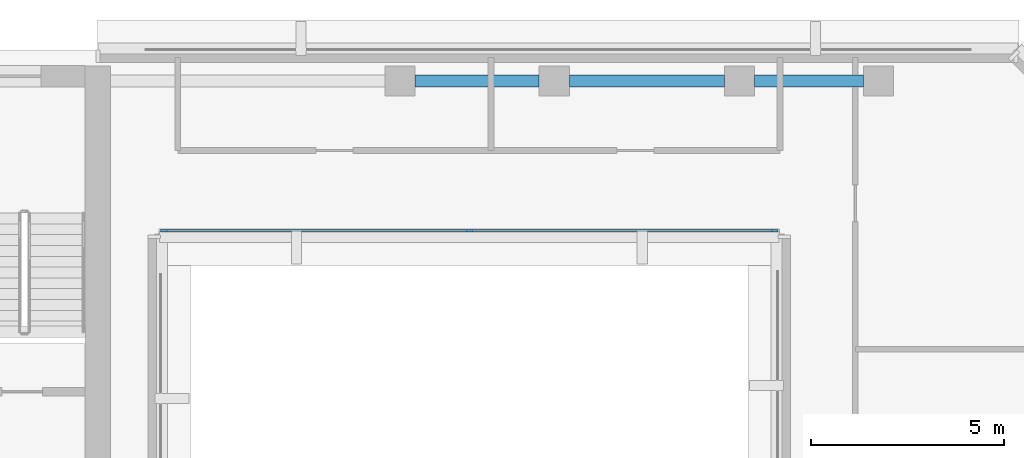
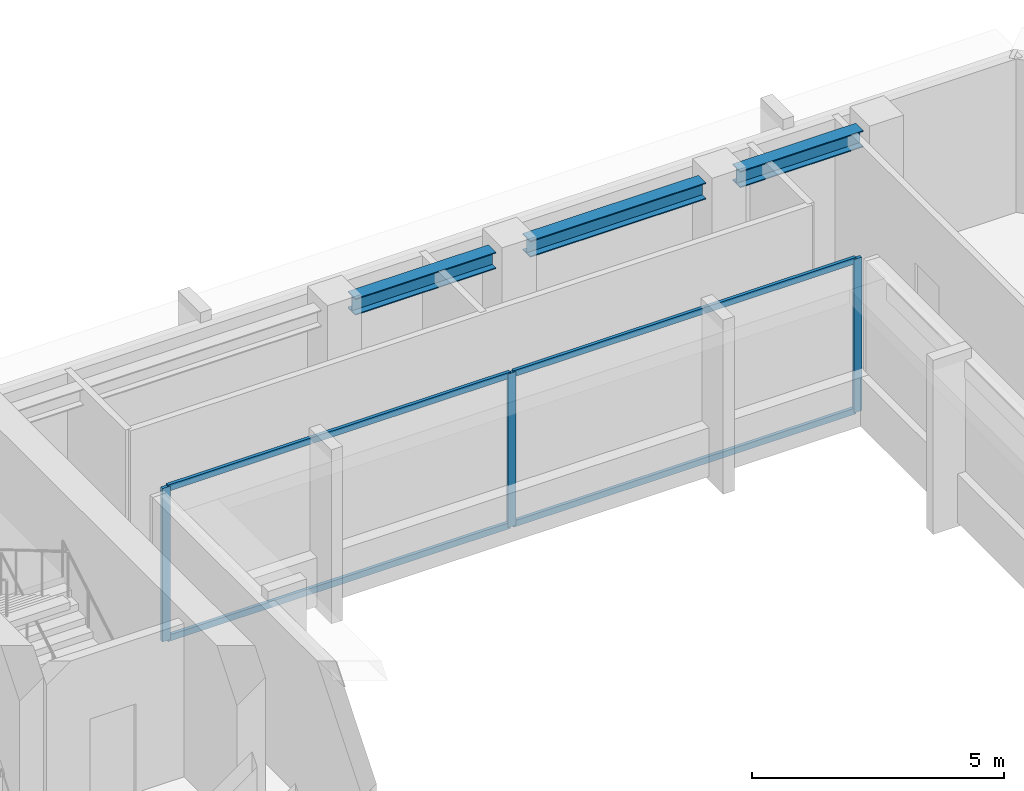
# One storey, part 4 of 11: 7 members, 3 beams, 1 element without a shape of its own.
"""IFC4 building model written with IfcOpenShell, lengths in metres."""

from ifc_helpers import new_model, si_unit, direction, frame, origin, origin_2d, place, context, subcontext, project, spatial, rectangle, i_section, extrude, material, layer, layer_set, material_profile, profile_set, type_object, element, aggregate, save


model = new_model("IFC4")

# Units and contexts
model_context = context("Model", 3, precision=1e-05, world=origin(), true_north=direction((0.0, 1.0)))
body_context = subcontext(model_context, "Body", "Model", "MODEL_VIEW")
ifc_project = project(units=[si_unit("LENGTHUNIT", "METRE"), si_unit("AREAUNIT", "SQUARE_METRE"), si_unit("VOLUMEUNIT", "CUBIC_METRE"), si_unit("PLANEANGLEUNIT", "RADIAN"), si_unit("MASSUNIT", "GRAM", prefix="KILO")], contexts=[model_context])

# Site, building, storey
site_placement = place(None, origin())
site = spatial("IfcSite", under=ifc_project, at=site_placement, CompositionType="ELEMENT")
building_placement = place(site_placement, origin())
building = spatial("IfcBuilding", under=site, at=building_placement, Name="Kefirva Bronze Tower", CompositionType="ELEMENT")
storey_placement = place(building_placement, frame((0.0, 0.0, 223.739990234375)))
storey = spatial("IfcBuildingStorey", under=building, at=storey_placement, Name="L54", CompositionType="ELEMENT", Elevation=223.739990234375)

# Curtain wall, members
ifc_material_1 = material(Name="Bronze anodised aluminium", Category="aluminium")
ifc_layer = layer(ifc_material_1, 0.179931640625, Name="Bronze anodised aluminium")
ifc_layer_set = layer_set([ifc_layer], Name="Bronze anodised aluminium")
curtain_wall_type = type_object("IfcCurtainWallType", Name="Unitised Bronze Ribbon Curtain Wall Zone 3", PredefinedType="USERDEFINED", material=ifc_layer_set)
curtain_wall_placement = place(storey_placement, origin())
curtain_wall = element("IfcCurtainWall", 1, at=curtain_wall_placement, inside=storey, type_object=curtain_wall_type, Name="L54 Curtain Wall 2", ObjectType="UNITISED CURTAIN WALL", PredefinedType="USERDEFINED")
ifc_material_profile_1 = material_profile(ifc_material_1, rectangle(XDim=0.074951171875, YDim=0.179931640625, at=origin_2d()), Name="ALU 75x180")
ifc_profile_set_1 = profile_set([ifc_material_profile_1], Name="Bronze anodised aluminium")
member_type_1 = type_object("IfcMemberType", Name="Bronze Mullion 75x180", PredefinedType="MULLION", material=ifc_profile_set_1)
member_1_placement = place(storey_placement, frame((25.092529296875, 41.320068359375, 0.0), z_axis=(0.0, 0.0, 1.0), x_axis=(0.0, 1.0, 0.0)))
member_1 = element("IfcMember", 2, at=member_1_placement, type_object=member_type_1, Name="CW-03 mullion 1", PredefinedType="MULLION", context=body_context, shape_type="SweptSolid", body=[
    extrude(rectangle(XDim=0.074951171875, YDim=0.179931640625, at=origin_2d()), origin(), (0.0, 0.0, 1.0), 3.7099609375),
])
member_2_placement = place(storey_placement, frame((33.0, 41.320068359375, 0.0), z_axis=(0.0, 0.0, 1.0), x_axis=(0.0, 1.0, 0.0)))
member_2 = element("IfcMember", 3, at=member_2_placement, type_object=member_type_1, Name="CW-03 mullion 2", PredefinedType="MULLION", context=body_context, shape_type="SweptSolid", body=[
    extrude(rectangle(XDim=0.074951171875, YDim=0.179931640625, at=origin_2d()), origin(), (0.0, 0.0, 1.0), 3.7099609375),
])
member_3_placement = place(storey_placement, frame((40.907470703125, 41.320068359375, 0.0), z_axis=(0.0, 0.0, 1.0), x_axis=(0.0, 1.0, 0.0)))
member_3 = element("IfcMember", 4, at=member_3_placement, type_object=member_type_1, Name="CW-03 mullion 3", PredefinedType="MULLION", context=body_context, shape_type="SweptSolid", body=[
    extrude(rectangle(XDim=0.074951171875, YDim=0.179931640625, at=origin_2d()), origin(), (0.0, 0.0, 1.0), 3.7099609375),
])
ifc_material_profile_2 = material_profile(ifc_material_1, rectangle(XDim=0.074951171875, YDim=0.14990234375, at=origin_2d()), Name="ALU 75x150")
ifc_profile_set_2 = profile_set([ifc_material_profile_2], Name="Bronze anodised aluminium")
member_type_2 = type_object("IfcMemberType", Name="Bronze Transom 75x150", PredefinedType="USERDEFINED", material=ifc_profile_set_2)
member_4_placement = place(storey_placement, frame((25.1298828125, 41.320068359375, 0.03759765625), z_axis=(1.0, 0.0, 0.0), x_axis=(0.0, 1.0, 0.0)))
member_4 = element("IfcMember", 5, at=member_4_placement, type_object=member_type_2, Name="CW-03 transom 1.1", ObjectType="TRANSOM", PredefinedType="USERDEFINED", context=body_context, shape_type="SweptSolid", body=[
    extrude(rectangle(XDim=0.074951171875, YDim=0.14990234375, at=origin_2d()), origin(), (0.0, 0.0, 1.0), 7.83251953125),
])
member_5_placement = place(storey_placement, frame((25.1298828125, 41.320068359375, 3.672607421875), z_axis=(1.0, 0.0, 0.0), x_axis=(0.0, 1.0, 0.0)))
member_5 = element("IfcMember", 6, at=member_5_placement, type_object=member_type_2, Name="CW-03 transom 1.2", ObjectType="TRANSOM", PredefinedType="USERDEFINED", context=body_context, shape_type="SweptSolid", body=[
    extrude(rectangle(XDim=0.074951171875, YDim=0.14990234375, at=origin_2d()), origin(), (0.0, 0.0, 1.0), 7.83251953125),
])
member_6_placement = place(storey_placement, frame((33.03759765625, 41.320068359375, 0.03759765625), z_axis=(1.0, 0.0, 0.0), x_axis=(0.0, 1.0, 0.0)))
member_6 = element("IfcMember", 7, at=member_6_placement, type_object=member_type_2, Name="CW-03 transom 2.1", ObjectType="TRANSOM", PredefinedType="USERDEFINED", context=body_context, shape_type="SweptSolid", body=[
    extrude(rectangle(XDim=0.074951171875, YDim=0.14990234375, at=origin_2d()), origin(), (0.0, 0.0, 1.0), 7.83251953125),
])
member_7_placement = place(storey_placement, frame((33.03759765625, 41.320068359375, 3.672607421875), z_axis=(1.0, 0.0, 0.0), x_axis=(0.0, 1.0, 0.0)))
member_7 = element("IfcMember", 8, at=member_7_placement, type_object=member_type_2, Name="CW-03 transom 2.2", ObjectType="TRANSOM", PredefinedType="USERDEFINED", context=body_context, shape_type="SweptSolid", body=[
    extrude(rectangle(XDim=0.074951171875, YDim=0.14990234375, at=origin_2d()), origin(), (0.0, 0.0, 1.0), 7.83251953125),
])
aggregate(curtain_wall, [member_1, member_2, member_3, member_4, member_5, member_6, member_7])

# Beams
ifc_material_2 = material(Name="Steel S355", Category="steel")
ifc_material_profile_3 = material_profile(ifc_material_2, i_section(OverallWidth=0.300048828125, OverallDepth=0.39990234375, WebThickness=0.013427734375, FlangeThickness=0.02392578125, at=origin_2d()), Name="HEB 400")
ifc_profile_set_3 = profile_set([ifc_material_profile_3], Name="Steel S355")
beam_type = type_object("IfcBeamType", Name="Steel Spandrel HEB 400 Ext", PredefinedType="SPANDREL", material=ifc_profile_set_3)
beam_1_placement = place(storey_placement, frame((31.590087890625, 45.199951171875, 3.510009765625), z_axis=(1.0, 0.0, 0.0), x_axis=(0.0, 1.0, 0.0)))
element("IfcBeam", 9, at=beam_1_placement, inside=storey, type_object=beam_type, Name="L54 BM-L54-EW-31-452", PredefinedType="SPANDREL", context=body_context, shape_type="SweptSolid", body=[
    extrude(i_section(OverallWidth=0.300048828125, OverallDepth=0.39990234375, WebThickness=0.013427734375, FlangeThickness=0.02392578125, at=origin_2d()), origin(), (0.0, 0.0, 1.0), 3.219970703125),
])
beam_2_placement = place(storey_placement, frame((35.590087890625, 45.199951171875, 3.510009765625), z_axis=(1.0, 0.0, 0.0), x_axis=(0.0, 1.0, 0.0)))
element("IfcBeam", 10, at=beam_2_placement, inside=storey, type_object=beam_type, Name="L54 BM-L54-EW-35-452", PredefinedType="SPANDREL", context=body_context, shape_type="SweptSolid", body=[
    extrude(i_section(OverallWidth=0.300048828125, OverallDepth=0.39990234375, WebThickness=0.013427734375, FlangeThickness=0.02392578125, at=origin_2d()), origin(), (0.0, 0.0, 1.0), 4.02001953125),
])
beam_3_placement = place(storey_placement, frame((40.389892578125, 45.199951171875, 3.510009765625), z_axis=(1.0, 0.0, 0.0), x_axis=(0.0, 1.0, 0.0)))
element("IfcBeam", 11, at=beam_3_placement, inside=storey, type_object=beam_type, Name="L54 BM-L54-EW-40-452", PredefinedType="SPANDREL", context=body_context, shape_type="SweptSolid", body=[
    extrude(i_section(OverallWidth=0.300048828125, OverallDepth=0.39990234375, WebThickness=0.013427734375, FlangeThickness=0.02392578125, at=origin_2d()), origin(), (0.0, 0.0, 1.0), 2.820068359375),
])

save(model, "model.ifc")
